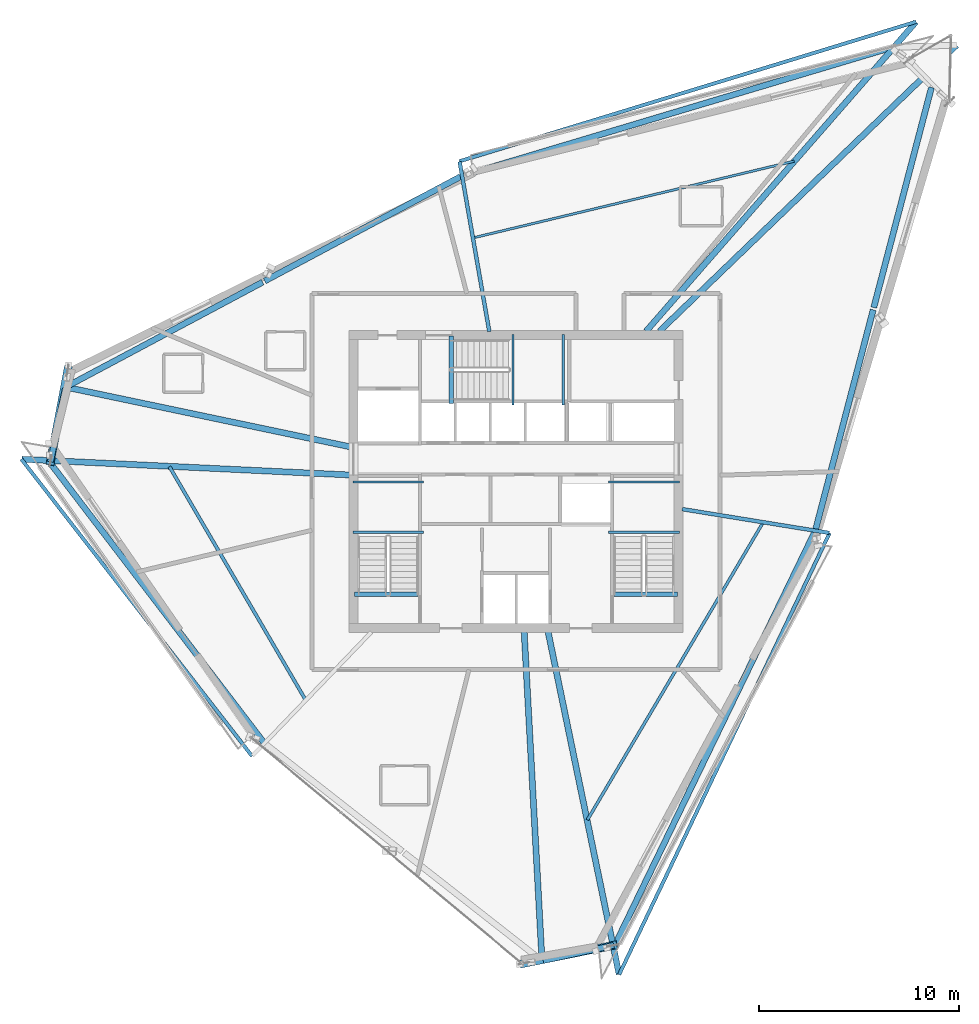
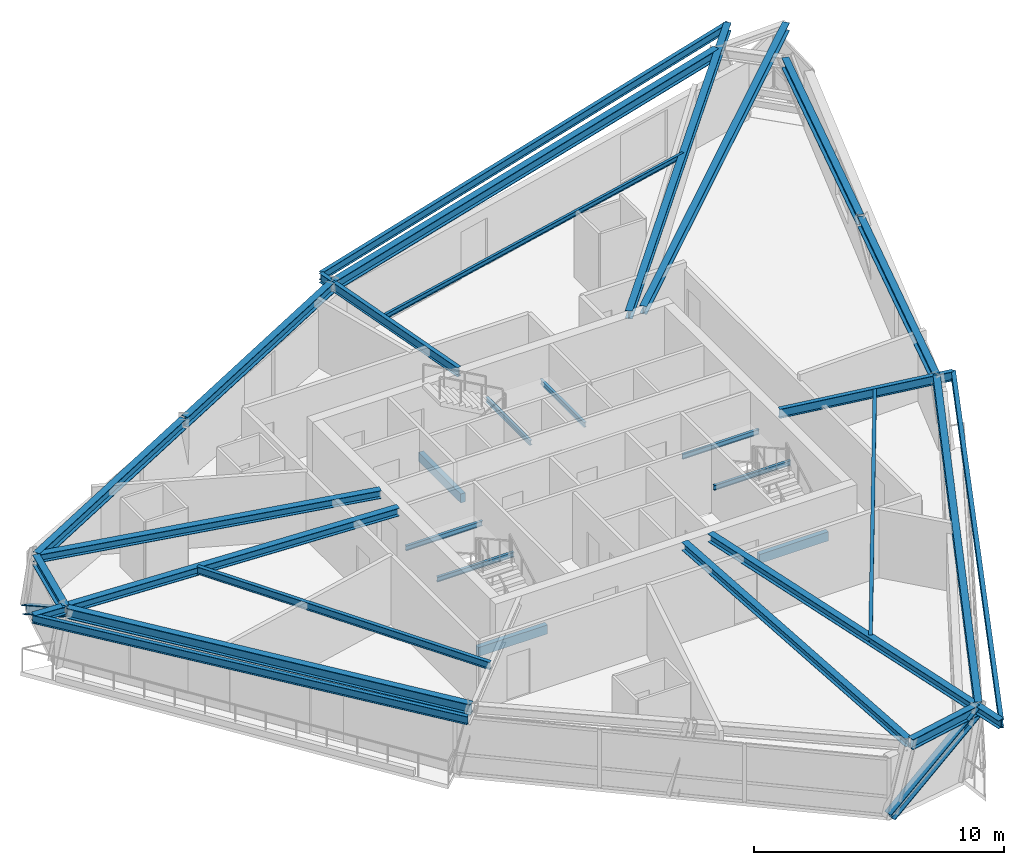
# One storey, part 4 of 14: 32 beams, 2 members.
"""IFC4 building model written with IfcOpenShell, lengths in metres."""

from ifc_helpers import new_model, si_unit, direction, frame, origin, origin_2d, place, context, subcontext, project, spatial, rectangle, i_section, extrude, source, transform, mapped, material, material_profile, profile_set, type_object, element, save


model = new_model("IFC4")

# Units and contexts
model_context = context("Model", 3, precision=1e-05, world=origin(), true_north=direction((0.0, 1.0)))
body_context = subcontext(model_context, "Body", "Model", "MODEL_VIEW")
ifc_project = project(units=[si_unit("LENGTHUNIT", "METRE"), si_unit("AREAUNIT", "SQUARE_METRE"), si_unit("VOLUMEUNIT", "CUBIC_METRE"), si_unit("PLANEANGLEUNIT", "RADIAN"), si_unit("MASSUNIT", "GRAM", prefix="KILO")], contexts=[model_context])

# Site, building, storey
site_placement = place(None, origin())
site = spatial("IfcSite", under=ifc_project, at=site_placement, CompositionType="ELEMENT")
building_placement = place(site_placement, origin())
building = spatial("IfcBuilding", under=site, at=building_placement, Name="Olszyna Solenne Hotel", CompositionType="ELEMENT")
storey_placement = place(building_placement, frame((0.0, 0.0, 220.25)))
storey = spatial("IfcBuildingStorey", under=building, at=storey_placement, Name="L58", CompositionType="ELEMENT", Elevation=220.25)

# Beams
ifc_material_1 = material(Name="Steel S355J2", Category="steel")
ifc_material_profile_1 = material_profile(ifc_material_1, i_section(OverallWidth=0.300048828125, OverallDepth=0.5, WebThickness=0.014404296875, FlangeThickness=0.028076171875, at=origin_2d()), Name="HEB 500", Category="load-bearing")
ifc_profile_set_1 = profile_set([ifc_material_profile_1], Name="Steel S355J2")
beam_type_1 = type_object("IfcBeamType", Name="BM-S3", PredefinedType="BEAM", material=ifc_profile_set_1)
shared_shape_1 = source(origin(), body_context, "Body", "SweptSolid", [
    extrude(i_section(OverallWidth=0.300048828125, OverallDepth=0.5, WebThickness=0.014404296875, FlangeThickness=0.028076171875, at=origin_2d()), origin(), (0.0, 0.0, 1.0), 22.305419921875),
])
beam_1_placement = place(storey_placement, frame((56.709716796875, 48.27978515625, 3.080078125), z_axis=(-0.958071754103, -0.286528382522, 0.0), x_axis=(0.286528382522, -0.958071754103, 0.0)))
element("IfcBeam", 1, at=beam_1_placement, inside=storey, type_object=beam_type_1, Name="Perimeter spandrel beam BM-S3 B-L58-1709", PredefinedType="BEAM", context=body_context, shape_type="MappedRepresentation", body=[
    mapped(shared_shape_1, transform((0.0, 0.0, 0.0), x_axis=(1.0, 0.0, 0.0), y_axis=(0.0, 1.0, 0.0), z_axis=(0.0, 0.0, 1.0), scale=1.0)),
])
shared_shape_2 = source(origin(), body_context, "Body", "SweptSolid", [
    extrude(i_section(OverallWidth=0.300048828125, OverallDepth=0.5, WebThickness=0.014404296875, FlangeThickness=0.028076171875, at=origin_2d()), origin(), (0.0, 0.0, 1.0), 11.093017578125),
])
for number, where, z_axis, x_axis, name in (
    (2, (35.22900390625, 41.84326171875, 3.080078125), (-0.882481457139, -0.470347188581, 0.0), (0.470347188581, -0.882481457139, 0.0), "Perimeter spandrel beam BM-S3 B-L58-1710"),
    (3, (25.333984375, 36.5693359375, 3.080078125), (-0.882481457139, -0.470347188581, 0.0), (0.470347188581, -0.882481457139, 0.0), "Perimeter spandrel beam BM-S3 B-L58-1711"),
):
    element("IfcBeam", number, at=place(storey_placement, frame(where, z_axis=z_axis, x_axis=x_axis)), inside=storey, type_object=beam_type_1, Name=name, PredefinedType="BEAM", context=body_context, shape_type="MappedRepresentation", body=[
        mapped(shared_shape_2, transform((0.0, 0.0, 0.0), x_axis=(1.0, 0.0, 0.0), y_axis=(0.0, 1.0, 0.0), z_axis=(0.0, 0.0, 1.0), scale=1.0)),
    ])
shared_shape_3 = source(origin(), body_context, "Body", "SweptSolid", [
    extrude(i_section(OverallWidth=0.300048828125, OverallDepth=0.5, WebThickness=0.014404296875, FlangeThickness=0.028076171875, at=origin_2d()), origin(), (0.0, 0.0, 1.0), 3.75048828125),
])
beam_2_placement = place(storey_placement, frame((15.479736328125, 31.264892578125, 3.080078125), z_axis=(-0.199319746349, -0.97993450736, 0.0), x_axis=(0.97993450736, -0.199319746349, 0.0)))
element("IfcBeam", 4, at=beam_2_placement, inside=storey, type_object=beam_type_1, Name="Perimeter spandrel beam BM-S3 B-L58-1712", PredefinedType="BEAM", context=body_context, shape_type="MappedRepresentation", body=[
    mapped(shared_shape_3, transform((0.0, 0.0, 0.0), x_axis=(1.0, 0.0, 0.0), y_axis=(0.0, 1.0, 0.0), z_axis=(0.0, 0.0, 1.0), scale=1.0)),
])
shared_shape_4 = source(origin(), body_context, "Body", "SweptSolid", [
    extrude(i_section(OverallWidth=0.300048828125, OverallDepth=0.5, WebThickness=0.014404296875, FlangeThickness=0.028076171875, at=origin_2d()), origin(), (0.0, 0.0, 1.0), 17.508056640625),
])
beam_3_placement = place(storey_placement, frame((14.756591796875, 27.48291015625, 3.080078125), z_axis=(0.607242015007, -0.794516919398, 0.0), x_axis=(0.794516919398, 0.607242015007, 0.0)))
element("IfcBeam", 5, at=beam_3_placement, inside=storey, type_object=beam_type_1, Name="Perimeter spandrel beam BM-S3 B-L58-1713", PredefinedType="BEAM", context=body_context, shape_type="MappedRepresentation", body=[
    mapped(shared_shape_4, transform((0.0, 0.0, 0.0), x_axis=(1.0, 0.0, 0.0), y_axis=(0.0, 1.0, 0.0), z_axis=(0.0, 0.0, 1.0), scale=1.0)),
])
shared_shape_5 = source(origin(), body_context, "Body", "SweptSolid", [
    extrude(i_section(OverallWidth=0.300048828125, OverallDepth=0.5, WebThickness=0.014404296875, FlangeThickness=0.028076171875, at=origin_2d()), origin(), (0.0, 0.0, 1.0), 3.608642578125),
])
beam_4_placement = place(storey_placement, frame((39.35791015625, 2.66357421875, 3.080078125), z_axis=(0.977423607007, 0.211289120557, 0.0), x_axis=(-0.211289120557, 0.977423607007, 0.0)))
element("IfcBeam", 6, at=beam_4_placement, inside=storey, type_object=beam_type_1, Name="Perimeter spandrel beam BM-S3 B-L58-1716", PredefinedType="BEAM", context=body_context, shape_type="MappedRepresentation", body=[
    mapped(shared_shape_5, transform((0.0, 0.0, 0.0), x_axis=(1.0, 0.0, 0.0), y_axis=(0.0, 1.0, 0.0), z_axis=(0.0, 0.0, 1.0), scale=1.0)),
])
shared_shape_6 = source(origin(), body_context, "Body", "SweptSolid", [
    extrude(i_section(OverallWidth=0.300048828125, OverallDepth=0.5, WebThickness=0.014404296875, FlangeThickness=0.028076171875, at=origin_2d()), origin(), (0.0, 0.0, 1.0), 22.862060546875),
])
beam_5_placement = place(storey_placement, frame((42.9697265625, 3.492919921875, 3.080078125), z_axis=(0.435462672767, 0.900206787703, 0.0), x_axis=(-0.900206787703, 0.435462672767, 0.0)))
element("IfcBeam", 7, at=beam_5_placement, inside=storey, type_object=beam_type_1, Name="Perimeter spandrel beam BM-S3 B-L58-1717", PredefinedType="BEAM", context=body_context, shape_type="MappedRepresentation", body=[
    mapped(shared_shape_6, transform((0.0, 0.0, 0.0), x_axis=(1.0, 0.0, 0.0), y_axis=(0.0, 1.0, 0.0), z_axis=(0.0, 0.0, 1.0), scale=1.0)),
])
shared_shape_7 = source(origin(), body_context, "Body", "SweptSolid", [
    extrude(i_section(OverallWidth=0.300048828125, OverallDepth=0.5, WebThickness=0.014404296875, FlangeThickness=0.028076171875, at=origin_2d()), origin(), (0.0, 0.0, 1.0), 11.37109375),
])
beam_6_placement = place(storey_placement, frame((52.966552734375, 24.185546875, 3.080078125), z_axis=(0.2535430867, 0.967324094183, 0.0), x_axis=(-0.967324094183, 0.2535430867, 0.0)))
element("IfcBeam", 8, at=beam_6_placement, inside=storey, type_object=beam_type_1, Name="Perimeter spandrel beam BM-S3 B-L58-1718", PredefinedType="BEAM", context=body_context, shape_type="MappedRepresentation", body=[
    mapped(shared_shape_7, transform((0.0, 0.0, 0.0), x_axis=(1.0, 0.0, 0.0), y_axis=(0.0, 1.0, 0.0), z_axis=(0.0, 0.0, 1.0), scale=1.0)),
])
shared_shape_8 = source(origin(), body_context, "Body", "SweptSolid", [
    extrude(i_section(OverallWidth=0.300048828125, OverallDepth=0.5, WebThickness=0.014404296875, FlangeThickness=0.028076171875, at=origin_2d()), origin(), (0.0, 0.0, 1.0), 11.371337890625),
])
beam_7_placement = place(storey_placement, frame((55.8798828125, 35.301025390625, 3.080078125), z_axis=(0.253517731099, 0.967330739726, 0.0), x_axis=(-0.967330739726, 0.253517731099, 0.0)))
element("IfcBeam", 9, at=beam_7_placement, inside=storey, type_object=beam_type_1, Name="Perimeter spandrel beam BM-S3 B-L58-1719", PredefinedType="BEAM", context=body_context, shape_type="MappedRepresentation", body=[
    mapped(shared_shape_8, transform((0.0, 0.0, 0.0), x_axis=(1.0, 0.0, 0.0), y_axis=(0.0, 1.0, 0.0), z_axis=(0.0, 0.0, 1.0), scale=1.0)),
])
ifc_material_profile_2 = material_profile(ifc_material_1, i_section(OverallWidth=0.300048828125, OverallDepth=0.389892578125, WebThickness=0.010986328125, FlangeThickness=0.01904296875, at=origin_2d()), Name="HEA 400", Category="load-bearing")
ifc_profile_set_2 = profile_set([ifc_material_profile_2], Name="Steel S355J2")
beam_type_2 = type_object("IfcBeamType", Name="BM-G2", PredefinedType="BEAM", material=ifc_profile_set_2)
shared_shape_9 = source(origin(), body_context, "Body", "SweptSolid", [
    extrude(i_section(OverallWidth=0.300048828125, OverallDepth=0.389892578125, WebThickness=0.010986328125, FlangeThickness=0.01904296875, at=origin_2d()), origin(), (0.0, 0.0, 1.0), 20.606201171875),
])
beam_8_placement = place(storey_placement, frame((60.0126953125, 48.405029296875, 3.135009765625), z_axis=(-0.720420402532, -0.69353762956, 0.0), x_axis=(0.69353762956, -0.720420402532, 0.0)))
element("IfcBeam", 10, at=beam_8_placement, inside=storey, type_object=beam_type_2, Name="Radial floor girder BM-G2 B-L58-1720", PredefinedType="BEAM", context=body_context, shape_type="MappedRepresentation", body=[
    mapped(shared_shape_9, transform((0.0, 0.0, 0.0), x_axis=(1.0, 0.0, 0.0), y_axis=(0.0, 1.0, 0.0), z_axis=(0.0, 0.0, 1.0), scale=1.0)),
])
shared_shape_10 = source(origin(), body_context, "Body", "SweptSolid", [
    extrude(i_section(OverallWidth=0.300048828125, OverallDepth=0.389892578125, WebThickness=0.010986328125, FlangeThickness=0.01904296875, at=origin_2d()), origin(), (0.0, 0.0, 1.0), 20.513916015625),
])
beam_9_placement = place(storey_placement, frame((57.984130859375, 49.570068359375, 3.135009765625), z_axis=(-0.657421234909, -0.753523270968, 0.0), x_axis=(0.753523270968, -0.657421234909, 0.0)))
element("IfcBeam", 11, at=beam_9_placement, inside=storey, type_object=beam_type_2, Name="Radial floor girder BM-G2 B-L58-1721", PredefinedType="BEAM", context=body_context, shape_type="MappedRepresentation", body=[
    mapped(shared_shape_10, transform((0.0, 0.0, 0.0), x_axis=(1.0, 0.0, 0.0), y_axis=(0.0, 1.0, 0.0), z_axis=(0.0, 0.0, 1.0), scale=1.0)),
])
ifc_material_profile_3 = material_profile(ifc_material_1, i_section(OverallWidth=0.18994140625, OverallDepth=0.449951171875, WebThickness=0.009521484375, FlangeThickness=0.0146484375, at=origin_2d()), Name="IPE 450", Category="load-bearing")
ifc_profile_set_3 = profile_set([ifc_material_profile_3], Name="Steel S355J2")
beam_type_3 = type_object("IfcBeamType", Name="BM-F4", PredefinedType="BEAM", material=ifc_profile_set_3)
shared_shape_11 = source(origin(), body_context, "Body", "SweptSolid", [
    extrude(i_section(OverallWidth=0.18994140625, OverallDepth=0.449951171875, WebThickness=0.009521484375, FlangeThickness=0.0146484375, at=origin_2d()), origin(), (0.0, 0.0, 1.0), 8.618896484375),
])
beam_10_placement = place(storey_placement, frame((35.1806640625, 42.5908203125, 3.10498046875), z_axis=(0.172225727204, -0.985057510448, 0.0), x_axis=(0.985057510448, 0.172225727204, 0.0)))
element("IfcBeam", 12, at=beam_10_placement, inside=storey, type_object=beam_type_3, Name="Radial floor girder BM-F4 B-L58-1722", PredefinedType="BEAM", context=body_context, shape_type="MappedRepresentation", body=[
    mapped(shared_shape_11, transform((0.0, 0.0, 0.0), x_axis=(1.0, 0.0, 0.0), y_axis=(0.0, 1.0, 0.0), z_axis=(0.0, 0.0, 1.0), scale=1.0)),
])
shared_shape_12 = source(origin(), body_context, "Body", "SweptSolid", [
    extrude(i_section(OverallWidth=0.300048828125, OverallDepth=0.389892578125, WebThickness=0.010986328125, FlangeThickness=0.01904296875, at=origin_2d()), origin(), (0.0, 0.0, 1.0), 14.45654296875),
])
beam_11_placement = place(storey_placement, frame((15.550537109375, 31.311279296875, 3.135009765625), z_axis=(0.978680389615, -0.205389130634, 0.0), x_axis=(0.205389130634, 0.978680389615, 0.0)))
element("IfcBeam", 13, at=beam_11_placement, inside=storey, type_object=beam_type_2, Name="Radial floor girder BM-G2 B-L58-1723", PredefinedType="BEAM", context=body_context, shape_type="MappedRepresentation", body=[
    mapped(shared_shape_12, transform((0.0, 0.0, 0.0), x_axis=(1.0, 0.0, 0.0), y_axis=(0.0, 1.0, 0.0), z_axis=(0.0, 0.0, 1.0), scale=1.0)),
])
shared_shape_13 = source(origin(), body_context, "Body", "SweptSolid", [
    extrude(i_section(OverallWidth=0.300048828125, OverallDepth=0.389892578125, WebThickness=0.010986328125, FlangeThickness=0.01904296875, at=origin_2d()), origin(), (0.0, 0.0, 1.0), 16.41796875),
])
beam_12_placement = place(storey_placement, frame((13.301025390625, 27.72021484375, 3.135009765625), z_axis=(0.998846537504, -0.048016606664, 0.0), x_axis=(0.048016606664, 0.998846537504, 0.0)))
element("IfcBeam", 14, at=beam_12_placement, inside=storey, type_object=beam_type_2, Name="Radial floor girder BM-G2 B-L58-1724", PredefinedType="BEAM", context=body_context, shape_type="MappedRepresentation", body=[
    mapped(shared_shape_13, transform((0.0, 0.0, 0.0), x_axis=(1.0, 0.0, 0.0), y_axis=(0.0, 1.0, 0.0), z_axis=(0.0, 0.0, 1.0), scale=1.0)),
])
shared_shape_14 = source(origin(), body_context, "Body", "SweptSolid", [
    extrude(i_section(OverallWidth=0.300048828125, OverallDepth=0.389892578125, WebThickness=0.010986328125, FlangeThickness=0.01904296875, at=origin_2d()), origin(), (0.0, 0.0, 1.0), 16.413330078125),
])
beam_13_placement = place(storey_placement, frame((39.2958984375, 2.710693359375, 3.135009765625), z_axis=(-0.05415844336, 0.998532354515, 0.0), x_axis=(-0.998532354515, -0.05415844336, 0.0)))
element("IfcBeam", 15, at=beam_13_placement, inside=storey, type_object=beam_type_2, Name="Radial floor girder BM-G2 B-L58-1726", PredefinedType="BEAM", context=body_context, shape_type="MappedRepresentation", body=[
    mapped(shared_shape_14, transform((0.0, 0.0, 0.0), x_axis=(1.0, 0.0, 0.0), y_axis=(0.0, 1.0, 0.0), z_axis=(0.0, 0.0, 1.0), scale=1.0)),
])
shared_shape_15 = source(origin(), body_context, "Body", "SweptSolid", [
    extrude(i_section(OverallWidth=0.300048828125, OverallDepth=0.389892578125, WebThickness=0.010986328125, FlangeThickness=0.01904296875, at=origin_2d()), origin(), (0.0, 0.0, 1.0), 17.482666015625),
])
beam_14_placement = place(storey_placement, frame((43.148681640625, 1.97998046875, 3.135009765625), z_axis=(-0.20292191038, 0.979194923541, 0.0), x_axis=(-0.979194923541, -0.20292191038, 0.0)))
element("IfcBeam", 16, at=beam_14_placement, inside=storey, type_object=beam_type_2, Name="Radial floor girder BM-G2 B-L58-1727", PredefinedType="BEAM", context=body_context, shape_type="MappedRepresentation", body=[
    mapped(shared_shape_15, transform((0.0, 0.0, 0.0), x_axis=(1.0, 0.0, 0.0), y_axis=(0.0, 1.0, 0.0), z_axis=(0.0, 0.0, 1.0), scale=1.0)),
])
shared_shape_16 = source(origin(), body_context, "Body", "SweptSolid", [
    extrude(i_section(OverallWidth=0.18994140625, OverallDepth=0.449951171875, WebThickness=0.009521484375, FlangeThickness=0.0146484375, at=origin_2d()), origin(), (0.0, 0.0, 1.0), 7.446533203125),
])
beam_15_placement = place(storey_placement, frame((53.6513671875, 24.035400390625, 3.10498046875), z_axis=(-0.987107437806, 0.160059071057, 0.0), x_axis=(-0.160059071057, -0.987107437806, 0.0)))
element("IfcBeam", 17, at=beam_15_placement, inside=storey, type_object=beam_type_3, Name="Radial floor girder BM-F4 B-L58-1728", PredefinedType="BEAM", context=body_context, shape_type="MappedRepresentation", body=[
    mapped(shared_shape_16, transform((0.0, 0.0, 0.0), x_axis=(1.0, 0.0, 0.0), y_axis=(0.0, 1.0, 0.0), z_axis=(0.0, 0.0, 1.0), scale=1.0)),
])
ifc_material_profile_4 = material_profile(ifc_material_1, i_section(OverallWidth=0.1201171875, OverallDepth=0.239990234375, WebThickness=0.006103515625, FlangeThickness=0.009765625, at=origin_2d()), Name="IPE 240", Category="load-bearing")
ifc_profile_set_4 = profile_set([ifc_material_profile_4], Name="Steel S355J2")
beam_type_4 = type_object("IfcBeamType", Name="JS-03", PredefinedType="JOIST", material=ifc_profile_set_4)
shared_shape_17 = source(origin(), body_context, "Body", "SweptSolid", [
    extrude(i_section(OverallWidth=0.1201171875, OverallDepth=0.239990234375, WebThickness=0.006103515625, FlangeThickness=0.009765625, at=origin_2d()), origin(), (0.0, 0.0, 1.0), 16.48828125),
])
beam_16_placement = place(storey_placement, frame((51.903076171875, 42.61767578125, 3.2099609375), z_axis=(-0.972621614718, -0.232394480536, 0.0), x_axis=(0.232394480536, -0.972621614718, 0.0)))
element("IfcBeam", 18, at=beam_16_placement, inside=storey, type_object=beam_type_4, Name="Secondary composite floor joist JS-03 B-L58-1730", PredefinedType="JOIST", context=body_context, shape_type="MappedRepresentation", body=[
    mapped(shared_shape_17, transform((0.0, 0.0, 0.0), x_axis=(1.0, 0.0, 0.0), y_axis=(0.0, 1.0, 0.0), z_axis=(0.0, 0.0, 1.0), scale=1.0)),
])
ifc_material_profile_5 = material_profile(ifc_material_1, i_section(OverallWidth=0.169921875, OverallDepth=0.360107421875, WebThickness=0.008056640625, FlangeThickness=0.0126953125, at=origin_2d()), Name="IPE 360", Category="load-bearing")
ifc_profile_set_5 = profile_set([ifc_material_profile_5], Name="Steel S355J2")
beam_type_5 = type_object("IfcBeamType", Name="JS-01", PredefinedType="JOIST", material=ifc_profile_set_5)
shared_shape_18 = source(origin(), body_context, "Body", "SweptSolid", [
    extrude(i_section(OverallWidth=0.169921875, OverallDepth=0.360107421875, WebThickness=0.008056640625, FlangeThickness=0.0126953125, at=origin_2d()), origin(), (0.0, 0.0, 1.0), 13.498291015625),
])
beam_17_placement = place(storey_placement, frame((20.6796875, 27.3486328125, 3.14990234375), z_axis=(0.50402058423, -0.863691640965, 0.0), x_axis=(0.863691640965, 0.50402058423, 0.0)))
element("IfcBeam", 19, at=beam_17_placement, inside=storey, type_object=beam_type_5, Name="Secondary composite floor joist JS-01 B-L58-1731", PredefinedType="JOIST", context=body_context, shape_type="MappedRepresentation", body=[
    mapped(shared_shape_18, transform((0.0, 0.0, 0.0), x_axis=(1.0, 0.0, 0.0), y_axis=(0.0, 1.0, 0.0), z_axis=(0.0, 0.0, 1.0), scale=1.0)),
])
ifc_material_profile_6 = material_profile(ifc_material_1, i_section(OverallWidth=0.14990234375, OverallDepth=0.300048828125, WebThickness=0.007080078125, FlangeThickness=0.0107421875, at=origin_2d()), Name="IPE 300", Category="load-bearing")
ifc_profile_set_6 = profile_set([ifc_material_profile_6], Name="Steel S355J2")
beam_type_6 = type_object("IfcBeamType", Name="JS-02", PredefinedType="JOIST", material=ifc_profile_set_6)
shared_shape_19 = source(origin(), body_context, "Body", "SweptSolid", [
    extrude(i_section(OverallWidth=0.14990234375, OverallDepth=0.300048828125, WebThickness=0.007080078125, FlangeThickness=0.0107421875, at=origin_2d()), origin(), (0.0, 0.0, 1.0), 17.26220703125),
])
beam_18_placement = place(storey_placement, frame((41.564697265625, 9.68994140625, 3.179931640625), z_axis=(0.508599701067, 0.861003103406, 0.0), x_axis=(-0.861003103406, 0.508599701067, 0.0)))
element("IfcBeam", 20, at=beam_18_placement, inside=storey, type_object=beam_type_6, Name="Secondary composite floor joist JS-02 B-L58-1732", PredefinedType="JOIST", context=body_context, shape_type="MappedRepresentation", body=[
    mapped(shared_shape_19, transform((0.0, 0.0, 0.0), x_axis=(1.0, 0.0, 0.0), y_axis=(0.0, 1.0, 0.0), z_axis=(0.0, 0.0, 1.0), scale=1.0)),
])
ifc_material_profile_7 = material_profile(ifc_material_1, i_section(OverallWidth=0.179931640625, OverallDepth=0.39990234375, WebThickness=0.008544921875, FlangeThickness=0.013427734375, at=origin_2d()), Name="IPE 400", Category="load-bearing")
ifc_profile_set_7 = profile_set([ifc_material_profile_7], Name="Steel S355J2")
beam_type_7 = type_object("IfcBeamType", Name="BM-F5", PredefinedType="BEAM", material=ifc_profile_set_7)
shared_shape_20 = source(origin(), body_context, "Body", "SweptSolid", [
    extrude(i_section(OverallWidth=0.179931640625, OverallDepth=0.39990234375, WebThickness=0.008544921875, FlangeThickness=0.013427734375, at=origin_2d()), origin(), (0.0, 0.0, 1.0), 23.862060546875),
])
beam_19_placement = place(storey_placement, frame((57.997314453125, 49.585205078125, 3.1298828125), z_axis=(-0.956330362221, -0.292287937306, 0.0), x_axis=(0.292287937306, -0.956330362221, 0.0)))
element("IfcBeam", 21, at=beam_19_placement, inside=storey, type_object=beam_type_7, Name="Loggia outer edge beam BM-F5 B-L58-1733", PredefinedType="BEAM", context=body_context, shape_type="MappedRepresentation", body=[
    mapped(shared_shape_20, transform((0.0, 0.0, 0.0), x_axis=(1.0, 0.0, 0.0), y_axis=(0.0, 1.0, 0.0), z_axis=(0.0, 0.0, 1.0), scale=1.0)),
])
shared_shape_21 = source(origin(), body_context, "Body", "SweptSolid", [
    extrude(i_section(OverallWidth=0.179931640625, OverallDepth=0.39990234375, WebThickness=0.008544921875, FlangeThickness=0.013427734375, at=origin_2d()), origin(), (0.0, 0.0, 1.0), 18.792236328125),
])
beam_20_placement = place(storey_placement, frame((13.281005859375, 27.72119140625, 3.1298828125), z_axis=(0.613472810843, -0.789715841526, 0.0), x_axis=(0.789715841526, 0.613472810843, 0.0)))
element("IfcBeam", 22, at=beam_20_placement, inside=storey, type_object=beam_type_7, Name="Loggia outer edge beam BM-F5 B-L58-1734", PredefinedType="BEAM", context=body_context, shape_type="MappedRepresentation", body=[
    mapped(shared_shape_21, transform((0.0, 0.0, 0.0), x_axis=(1.0, 0.0, 0.0), y_axis=(0.0, 1.0, 0.0), z_axis=(0.0, 0.0, 1.0), scale=1.0)),
])
shared_shape_22 = source(origin(), body_context, "Body", "SweptSolid", [
    extrude(i_section(OverallWidth=0.179931640625, OverallDepth=0.39990234375, WebThickness=0.008544921875, FlangeThickness=0.013427734375, at=origin_2d()), origin(), (0.0, 0.0, 1.0), 24.449951171875),
])
beam_21_placement = place(storey_placement, frame((43.15283203125, 1.96044921875, 3.1298828125), z_axis=(0.430198293325, 0.902734417434, 0.0), x_axis=(-0.902734417434, 0.430198293325, 0.0)))
element("IfcBeam", 23, at=beam_21_placement, inside=storey, type_object=beam_type_7, Name="Loggia outer edge beam BM-F5 B-L58-1735", PredefinedType="BEAM", context=body_context, shape_type="MappedRepresentation", body=[
    mapped(shared_shape_22, transform((0.0, 0.0, 0.0), x_axis=(1.0, 0.0, 0.0), y_axis=(0.0, 1.0, 0.0), z_axis=(0.0, 0.0, 1.0), scale=1.0)),
])

# Members
ifc_material_2 = material(Name="Steel S460M", Category="steel")
ifc_material_profile_8 = material_profile(ifc_material_2, i_section(OverallWidth=0.40087890625, OverallDepth=0.39892578125, WebThickness=0.02197265625, FlangeThickness=0.034423828125, at=origin_2d()), Name="HD 400x314", Category="load-bearing")
ifc_profile_set_8 = profile_set([ifc_material_profile_8], Name="Steel S460M")
member_type = type_object("IfcMemberType", Name="BR-T3", PredefinedType="BRACE", material=ifc_profile_set_8)
shared_shape_23 = source(origin(), body_context, "Body", "SweptSolid", [
    extrude(i_section(OverallWidth=0.40087890625, OverallDepth=0.39892578125, WebThickness=0.02197265625, FlangeThickness=0.034423828125, at=origin_2d()), origin(), (0.0, 0.0, 1.0), 5.703369140625),
])
member_1_placement = place(storey_placement, frame((15.6123046875, 32.27001953125, 0.010009765625), z_axis=(-0.156415694544, -0.830963728103, 0.533885205899), x_axis=(0.982741268882, -0.184985400602, 0.0)))
element("IfcMember", 24, at=member_1_placement, inside=storey, type_object=member_type, Name="Perimeter braced-tube diagonal BR-T3 BR-L58-2", PredefinedType="BRACE", context=body_context, shape_type="MappedRepresentation", body=[
    mapped(shared_shape_23, transform((0.0, 0.0, 0.0), x_axis=(1.0, 0.0, 0.0), y_axis=(0.0, 1.0, 0.0), z_axis=(0.0, 0.0, 1.0), scale=1.0)),
])
shared_shape_24 = source(origin(), body_context, "Body", "SweptSolid", [
    extrude(i_section(OverallWidth=0.40087890625, OverallDepth=0.39892578125, WebThickness=0.02197265625, FlangeThickness=0.034423828125, at=origin_2d()), origin(), (0.0, 0.0, 1.0), 5.626953125),
])
member_2_placement = place(storey_placement, frame((38.304931640625, 2.50439453125, 0.010009765625), z_axis=(0.824377085295, 0.166046900286, 0.541138474095), x_axis=(-0.197455447113, 0.98031186181, 0.0)))
element("IfcMember", 25, at=member_2_placement, inside=storey, type_object=member_type, Name="Perimeter braced-tube diagonal BR-T3 BR-L58-3", PredefinedType="BRACE", context=body_context, shape_type="MappedRepresentation", body=[
    mapped(shared_shape_24, transform((0.0, 0.0, 0.0), x_axis=(1.0, 0.0, 0.0), y_axis=(0.0, 1.0, 0.0), z_axis=(0.0, 0.0, 1.0), scale=1.0)),
])

# Beams
shared_shape_25 = source(origin(), body_context, "Body", "SweptSolid", [
    extrude(i_section(OverallWidth=0.1201171875, OverallDepth=0.239990234375, WebThickness=0.006103515625, FlangeThickness=0.009765625, at=origin_2d()), origin(), (0.0, 0.0, 1.0), 3.539794921875),
])
for number, where, z_axis, x_axis, name in (
    (26, (33.3798828125, 24.070068359375, 1.449951171875), (-1.0, 0.0, 0.0), (0.0, -1.0, 0.0), "Stair landing support beam JS-03 SLB-ST1-0121"),
    (27, (33.3798828125, 26.580078125, 1.449951171875), (-1.0, 0.0, 0.0), (0.0, -1.0, 0.0), "Stair landing support beam JS-03 SLB-ST1-0122"),
    (28, (46.159912109375, 24.070068359375, 1.449951171875), (-1.0, 0.0, 0.0), (0.0, -1.0, 0.0), "Stair landing support beam JS-03 SLB-ST2-0361"),
    (29, (46.159912109375, 26.580078125, 1.449951171875), (-1.0, 0.0, 0.0), (0.0, -1.0, 0.0), "Stair landing support beam JS-03 SLB-ST2-0362"),
):
    element("IfcBeam", number, at=place(storey_placement, frame(where, z_axis=z_axis, x_axis=x_axis)), inside=storey, type_object=beam_type_4, Name=name, PredefinedType="JOIST", context=body_context, shape_type="MappedRepresentation", body=[
        mapped(shared_shape_25, transform((0.0, 0.0, 0.0), x_axis=(1.0, 0.0, 0.0), y_axis=(0.0, 1.0, 0.0), z_axis=(0.0, 0.0, 1.0), scale=1.0)),
    ])
ifc_material_3 = material(Name="Concrete C50/60", Category="concrete")
ifc_material_profile_9 = material_profile(ifc_material_3, rectangle(XDim=0.219970703125, YDim=0.43994140625, at=origin_2d()), Name="RC 220x440", Category="load-bearing")
ifc_profile_set_9 = profile_set([ifc_material_profile_9], Name="Concrete C50/60")
beam_type_8 = type_object("IfcBeamType", Name="BM-ST1", PredefinedType="BEAM", material=ifc_profile_set_9)
shared_shape_26 = source(origin(), body_context, "Body", "SweptSolid", [
    extrude(rectangle(XDim=0.219970703125, YDim=0.43994140625, at=origin_2d()), origin(), (0.0, 0.0, 1.0), 3.18017578125),
])
for number, where, z_axis, x_axis, name in (
    (30, (33.10009765625, 20.97998046875, -0.205078125), (-1.0, 0.0, 0.0), (0.0, -1.0, 0.0), "Concrete stair trimmer beam BM-ST1 SHB-ST1-0220"),
    (31, (46.080078125, 20.97998046875, -0.205078125), (-1.0, 0.0, 0.0), (0.0, -1.0, 0.0), "Concrete stair trimmer beam BM-ST1 SHB-ST2-0460"),
):
    element("IfcBeam", number, at=place(storey_placement, frame(where, z_axis=z_axis, x_axis=x_axis)), inside=storey, type_object=beam_type_8, Name=name, PredefinedType="BEAM", context=body_context, shape_type="MappedRepresentation", body=[
        mapped(shared_shape_26, transform((0.0, 0.0, 0.0), x_axis=(1.0, 0.0, 0.0), y_axis=(0.0, 1.0, 0.0), z_axis=(0.0, 0.0, 1.0), scale=1.0)),
    ])
shared_shape_27 = source(origin(), body_context, "Body", "SweptSolid", [
    extrude(i_section(OverallWidth=0.1201171875, OverallDepth=0.239990234375, WebThickness=0.006103515625, FlangeThickness=0.009765625, at=origin_2d()), origin(), (0.0, 0.0, 1.0), 3.5400390625),
])
for number, where, z_axis, x_axis, name in (
    (32, (37.85009765625, 30.419921875, 1.449951171875), (0.0, 1.0, 0.0), (-1.0, 0.0, 0.0), "Stair landing support beam JS-03 SLB-ST3-0601"),
    (33, (40.360107421875, 30.419921875, 1.449951171875), (0.0, 1.0, 0.0), (-1.0, 0.0, 0.0), "Stair landing support beam JS-03 SLB-ST3-0602"),
):
    element("IfcBeam", number, at=place(storey_placement, frame(where, z_axis=z_axis, x_axis=x_axis)), inside=storey, type_object=beam_type_4, Name=name, PredefinedType="JOIST", context=body_context, shape_type="MappedRepresentation", body=[
        mapped(shared_shape_27, transform((0.0, 0.0, 0.0), x_axis=(1.0, 0.0, 0.0), y_axis=(0.0, 1.0, 0.0), z_axis=(0.0, 0.0, 1.0), scale=1.0)),
    ])
shared_shape_28 = source(origin(), body_context, "Body", "SweptSolid", [
    extrude(rectangle(XDim=0.219970703125, YDim=0.43994140625, at=origin_2d()), origin(), (0.0, 0.0, 1.0), 3.3798828125),
])
beam_22_placement = place(storey_placement, frame((34.760009765625, 30.5, -0.205078125), z_axis=(0.0, 1.0, 0.0), x_axis=(-1.0, 0.0, 0.0)))
element("IfcBeam", 34, at=beam_22_placement, inside=storey, type_object=beam_type_8, Name="Concrete stair trimmer beam BM-ST1 SHB-ST3-0698", PredefinedType="BEAM", context=body_context, shape_type="MappedRepresentation", body=[
    mapped(shared_shape_28, transform((0.0, 0.0, 0.0), x_axis=(1.0, 0.0, 0.0), y_axis=(0.0, 1.0, 0.0), z_axis=(0.0, 0.0, 1.0), scale=1.0)),
])

save(model, "model.ifc")
